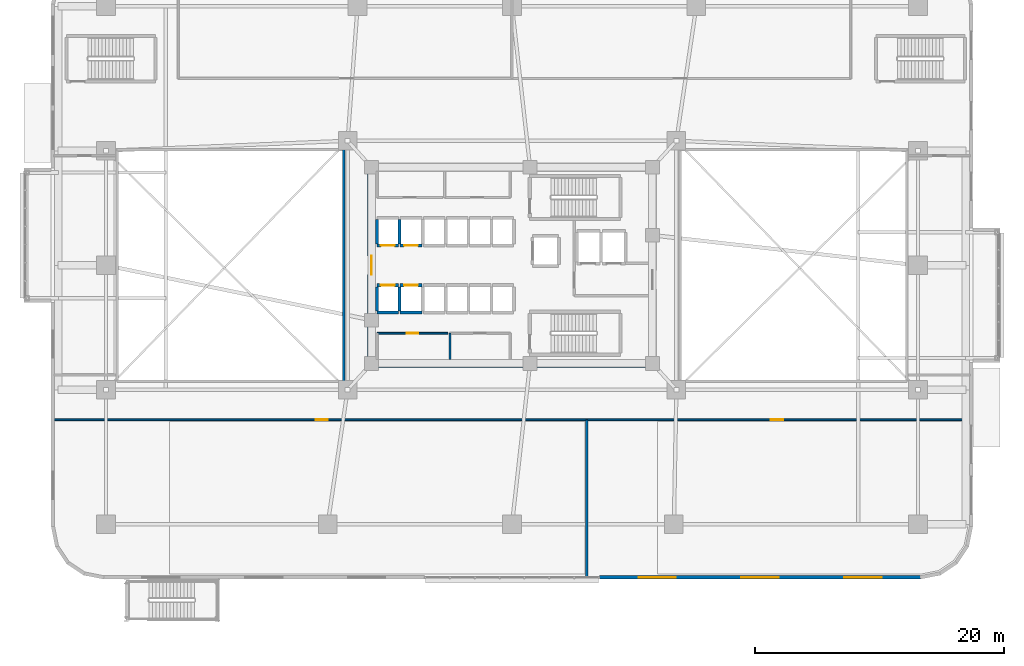
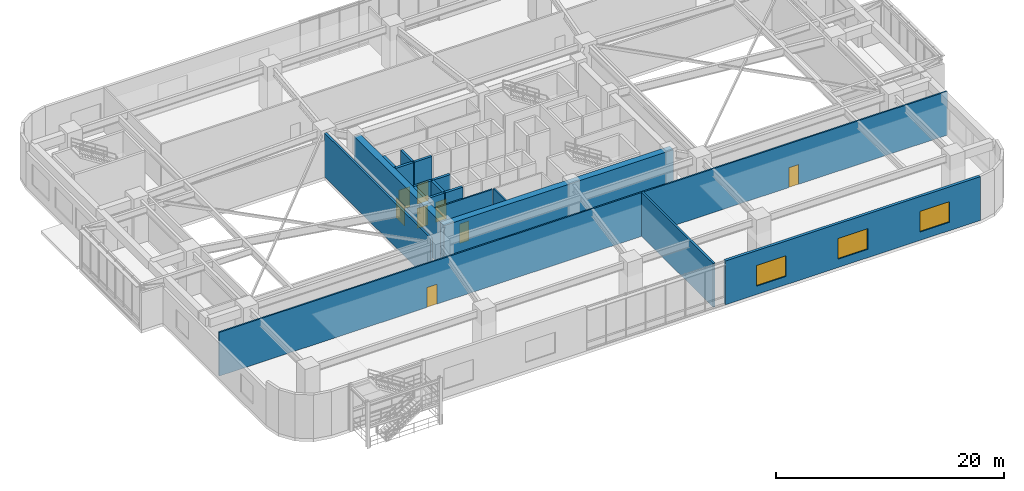
# One storey, part 18 of 26: 18 walls, 8 doors, 3 windows, 11 openings.
"""IFC4 building model written with IfcOpenShell, lengths in metres."""

import ifcopenshell
import ifcopenshell.guid

model = None  # the IFC model being written
_history = None  # IfcOwnerHistory: only IFC2X3 demands one
_inside = {}  # id of a spatial element -> (the spatial element, [elements in it])
_under = {}  # id of a project, library or spatial element -> (it, [spatial elements below it])
_declared = {}  # id of a project -> (the project, [libraries it declares])
_typed = {}  # id of a type object -> (the type object, [elements of that type])
_made_of = {}  # id of a material, layer set ... -> (it, [elements and type objects made of it])


def new_model(schema):
    """Start an empty IFC model of exactly this schema.

    Asked for "IFC4X3", IfcOpenShell would pick the latest addendum, in which some entities
    have other attributes; the version numbers below select the first issue.
    IFC2X3 requires an IfcOwnerHistory on every rooted entity: one is made here for all.
    """
    global model, _history
    if schema == "IFC4X3":
        model = ifcopenshell.file(schema_version=(4, 3, 0, 0))
    else:
        model = ifcopenshell.file(schema=schema)
    _inside.clear()
    _under.clear()
    _declared.clear()
    _typed.clear()
    _made_of.clear()
    _history = None
    if model.schema == "IFC2X3":
        org = make("IfcOrganization", Name="unknown")
        user = make(
            "IfcPersonAndOrganization",
            ThePerson=make("IfcPerson", FamilyName="unknown"),
            TheOrganization=org,
        )
        app = make(
            "IfcApplication",
            ApplicationDeveloper=org,
            Version="unknown",
            ApplicationFullName="unknown",
            ApplicationIdentifier="unknown",
        )
        _history = make(
            "IfcOwnerHistory",
            OwningUser=user,
            OwningApplication=app,
            ChangeAction="ADDED",
            CreationDate=0,
        )
    return model


def make(cls, **values):
    """One entity of the class cls with the attributes given. An attribute that is None is left unset."""
    return model.create_entity(
        cls, **{name: value for name, value in values.items() if value is not None}
    )


def rooted(cls, **values):
    """An entity with a GlobalId (a new one), such as an element, a storey or a relation."""
    return make(cls, GlobalId=ifcopenshell.guid.new(), OwnerHistory=_history, **values)


def si_unit(unit_type, name, prefix=None):
    """IfcSIUnit, for example si_unit("LENGTHUNIT", "METRE", prefix="MILLI")."""
    return make("IfcSIUnit", UnitType=unit_type, Prefix=prefix, Name=name)


def assignment(units):
    """IfcUnitAssignment: the units of a project."""
    return None if units is None else make("IfcUnitAssignment", Units=units)


def point(xyz):
    """IfcCartesianPoint."""
    return None if xyz is None else make("IfcCartesianPoint", Coordinates=xyz)


def direction(xyz):
    """IfcDirection."""
    return None if xyz is None else make("IfcDirection", DirectionRatios=xyz)


def frame(location, z_axis=None, x_axis=None):
    """IfcAxis2Placement3D, a coordinate frame: its origin and axes. An axis left out is left unset."""
    return make(
        "IfcAxis2Placement3D",
        Location=point(location),
        Axis=direction(z_axis),
        RefDirection=direction(x_axis),
    )


def frame_2d(location, x_axis=None):
    """IfcAxis2Placement2D, a coordinate frame in the plane: its origin and x axis."""
    return make(
        "IfcAxis2Placement2D", Location=point(location), RefDirection=direction(x_axis)
    )


def origin():
    """The frame at (0, 0, 0) with its axes left unset."""
    return frame((0.0, 0.0, 0.0))


def place(relative_to, where):
    """IfcLocalPlacement: puts the frame where relative to a parent placement (None: the world)."""
    return make(
        "IfcLocalPlacement", PlacementRelTo=relative_to, RelativePlacement=where
    )


def context(
    kind, dimensions, precision=None, world=None, true_north=None, identifier=None
):
    """IfcGeometricRepresentationContext, for example the 3D "Model" context."""
    return make(
        "IfcGeometricRepresentationContext",
        ContextIdentifier=identifier,
        ContextType=kind,
        CoordinateSpaceDimension=dimensions,
        Precision=precision,
        WorldCoordinateSystem=world,
        TrueNorth=true_north,
    )


def subcontext(parent, identifier, kind, view, scale=None):
    """IfcGeometricRepresentationSubContext, for example "Body" below "Model"."""
    return make(
        "IfcGeometricRepresentationSubContext",
        ContextIdentifier=identifier,
        ContextType=kind,
        ParentContext=parent,
        TargetScale=scale,
        TargetView=view,
    )


def project(units=None, contexts=None):
    """IfcProject with its units and contexts."""
    return rooted(
        "IfcProject",
        Name="project",
        RepresentationContexts=contexts,
        UnitsInContext=assignment(units),
    )


def spatial(cls, under=None, at=None, **own):
    """A site, building, storey or space (cls), placed at a placement, below another one or the project."""
    s = rooted(cls, ObjectPlacement=at, **own)
    if under is not None:
        _under.setdefault(under.id(), (under, []))[1].append(s)
    return s


def profile(cls, at=None, kind="AREA", **sizes):
    """A parametric profile (cls). Its sizes go by their IFC names, for example OverallWidth=200.0."""
    return make(cls, ProfileType=kind, Position=at, **sizes)


def rectangle(**sizes):
    """IfcRectangleProfileDef."""
    return profile("IfcRectangleProfileDef", **sizes)


def extrude(swept, where, along, depth):
    """IfcExtrudedAreaSolid: the profile swept, set in the frame where, extruded along a direction by depth."""
    return make(
        "IfcExtrudedAreaSolid",
        SweptArea=swept,
        Position=where,
        ExtrudedDirection=direction(along),
        Depth=depth,
    )


def shape(context_of_items, identifier, shape_type, items):
    """IfcShapeRepresentation: the items that make up one representation, for example the "Body"."""
    return make(
        "IfcShapeRepresentation",
        ContextOfItems=context_of_items,
        RepresentationIdentifier=identifier,
        RepresentationType=shape_type,
        Items=items,
    )


def material(Name=None, Category=None):
    """IfcMaterial."""
    return make("IfcMaterial", Name=Name, Category=Category)


def layer(
    of_material, thickness, ventilated=None, Name=None, Category=None, Priority=None
):
    """IfcMaterialLayer: one layer of a wall or slab, of a material (None: an air gap)."""
    return make(
        "IfcMaterialLayer",
        Material=of_material,
        LayerThickness=thickness,
        IsVentilated=ventilated,
        Name=Name,
        Category=Category,
        Priority=Priority,
    )


def layer_set(layers, Name=None):
    """IfcMaterialLayerSet."""
    return make("IfcMaterialLayerSet", MaterialLayers=layers, LayerSetName=Name)


def made_of(thing, what):
    """Note that an element or type object is made of a material, layer set ...; save() writes the relation."""
    if what is not None:
        _made_of.setdefault(what.id(), (what, []))[1].append(thing)
    return thing


def type_object(cls, material=None, **own):
    """A type object (cls), such as IfcWallType, which elements share."""
    return made_of(rooted(cls, **own), material)


def element(
    cls,
    number,
    at=None,
    inside=None,
    cuts=None,
    type_object=None,
    material=None,
    context=None,
    identifier="Body",
    shape_type=None,
    held_by="IfcProductDefinitionShape",
    body=None,
    shapes=None,
    **own,
):
    """One element of the class cls, such as IfcWall. Its Tag is "e" and its number.

    at: its placement. inside: the storey or other place that contains it. cuts: it is an
    opening in that element (IfcRelVoidsElement). A single representation is given by context,
    identifier, shape_type and body (its items); several are given by shapes. held_by: the class
    of the entity that holds the representations. save() writes the other relations.
    """
    e = rooted(cls, Tag="e%d" % number, ObjectPlacement=at, **own)
    if body is not None:
        shapes = [shape(context, identifier, shape_type, body)]
    if shapes is not None:
        e.Representation = make(held_by, Representations=shapes)
    if inside is not None:
        _inside.setdefault(inside.id(), (inside, []))[1].append(e)
    if cuts is not None:
        rooted(
            "IfcRelVoidsElement", RelatingBuildingElement=cuts, RelatedOpeningElement=e
        )
    if type_object is not None:
        _typed.setdefault(type_object.id(), (type_object, []))[1].append(e)
    return made_of(e, material)


def fill(opening, filler):
    """IfcRelFillsElement: the door or window that sits in an opening."""
    return rooted(
        "IfcRelFillsElement",
        RelatingOpeningElement=opening,
        RelatedBuildingElement=filler,
    )


def aggregate(whole, parts):
    """IfcRelAggregates: a whole, such as a stair, and the parts it consists of."""
    return rooted("IfcRelAggregates", RelatingObject=whole, RelatedObjects=parts)


def save(model, path):
    """Write the relations noted so far, then the file.

    IfcRelAggregates (storeys below a building ...), IfcRelContainedInSpatialStructure (elements
    in a storey), IfcRelDefinesByType, IfcRelAssociatesMaterial and IfcRelDeclares: one each for
    every whole, place, type object, material and project.
    """
    for whole, parts in _under.values():
        aggregate(whole, parts)
    for where, things in _inside.values():
        rooted(
            "IfcRelContainedInSpatialStructure",
            RelatedElements=things,
            RelatingStructure=where,
        )
    for kind, things in _typed.values():
        rooted("IfcRelDefinesByType", RelatedObjects=things, RelatingType=kind)
    for what, things in _made_of.values():
        rooted("IfcRelAssociatesMaterial", RelatedObjects=things, RelatingMaterial=what)
    for by, libraries in _declared.values():
        rooted("IfcRelDeclares", RelatingContext=by, RelatedDefinitions=libraries)
    model.write(path)


model = new_model("IFC4")

# Units and contexts
model_context = context("Model", 3, precision=1e-05, world=origin(), true_north=direction((0.0, 1.0)))
body_context = subcontext(model_context, "Body", "Model", "MODEL_VIEW")
ifc_project = project(units=[si_unit("LENGTHUNIT", "METRE"), si_unit("AREAUNIT", "SQUARE_METRE"), si_unit("VOLUMEUNIT", "CUBIC_METRE"), si_unit("PLANEANGLEUNIT", "RADIAN"), si_unit("MASSUNIT", "GRAM", prefix="KILO")], contexts=[model_context])

# Site, building, storey
site_placement = place(None, origin())
site = spatial("IfcSite", under=ifc_project, at=site_placement, CompositionType="ELEMENT")
building_placement = place(site_placement, origin())
building = spatial("IfcBuilding", under=site, at=building_placement, Name="Zulverin Broadcast Headquarters", CompositionType="ELEMENT")
storey_placement = place(building_placement, frame((0.0, 0.0, 15.0)))
storey = spatial("IfcBuildingStorey", under=building, at=storey_placement, Name="L03", CompositionType="ELEMENT", Elevation=15.0)

# Walls
ifc_material_1 = material(Name="Acoustic drywall steel stud", Category="steel")
ifc_layer_1 = layer(ifc_material_1, 0.199951171875, Name="Acoustic drywall steel stud", Category="steel")
ifc_layer_set_1 = layer_set([ifc_layer_1], Name="Acoustic drywall steel stud")
wall_type_1 = type_object("IfcWallType", Name="WL-ACOU-200", PredefinedType="PARTITIONING", material=ifc_layer_set_1)
wall_1_placement = place(storey_placement, frame((23.5, 15.89990234375, 0.0), z_axis=(0.0, 0.0, 1.0), x_axis=(0.0, 1.0, 0.0)))
element("IfcWall", 1, at=wall_1_placement, inside=storey, type_object=wall_type_1, Name="L03 WEST Studio Void E Wall", PredefinedType="PARTITIONING", context=body_context, shape_type="SweptSolid", body=[
    extrude(rectangle(XDim=18.60009765625, YDim=0.199951171875, at=frame_2d((9.300048828125, 0.0))), origin(), (0.0, 0.0, 1.0), 4.679931640625),
])
wall_2_placement = place(storey_placement, frame((43.0, 0.205078125, 0.0), z_axis=(0.0, 0.0, 1.0), x_axis=(0.0, 1.0, 0.0)))
element("IfcWall", 2, at=wall_2_placement, inside=storey, type_object=wall_type_1, Name="L03 Room Partition Wall RP-03", PredefinedType="PARTITIONING", context=body_context, shape_type="SweptSolid", body=[
    extrude(rectangle(XDim=12.594970703125, YDim=0.199951171875, at=frame_2d((6.29736328125, 0.0))), origin(), (0.0, 0.0, 1.0), 4.679931640625),
])
ifc_material_2 = material(Name="Concrete C60/75", Category="concrete")
ifc_layer_2 = layer(ifc_material_2, 0.64990234375, Name="Concrete C60/75", Category="concrete")
ifc_layer_set_2 = layer_set([ifc_layer_2], Name="Concrete C60/75")
wall_type_2 = type_object("IfcWallType", Name="WL-CORE-650", PredefinedType="SHEAR", material=ifc_layer_set_2)
wall_3_placement = place(storey_placement, frame((25.39990234375, 17.324951171875, 0.0), z_axis=(0.0, 0.0, 1.0), x_axis=(1.0, 0.0, 0.0)))
element("IfcWall", 3, at=wall_3_placement, inside=storey, type_object=wall_type_2, Name="L03 Core South Shear Wall", PredefinedType="SHEAR", context=body_context, shape_type="SweptSolid", body=[
    extrude(rectangle(XDim=23.2001953125, YDim=0.64990234375, at=frame_2d((11.60009765625, 0.0))), origin(), (0.0, 0.0, 1.0), 4.679931640625),
])

# Wall, opening, door
wall_4_placement = place(storey_placement, frame((25.72509765625, 17.64990234375, 0.0), z_axis=(0.0, 0.0, 1.0), x_axis=(0.0, 1.0, 0.0)))
wall_4 = element("IfcWall", 4, at=wall_4_placement, inside=storey, type_object=wall_type_2, Name="L03 Core West Shear Wall", PredefinedType="SHEAR", context=body_context, shape_type="SweptSolid", body=[
    extrude(rectangle(XDim=15.10009765625, YDim=0.64990234375, at=frame_2d((7.550048828125, 0.0))), origin(), (0.0, 0.0, 1.0), 4.679931640625),
])
opening_1_placement = place(wall_4_placement, frame((6.800048828125, 0.0, 0.0)))
opening_1 = element("IfcOpeningElement", 5, at=opening_1_placement, cuts=wall_4, Name="Opening D-L03-CW1", PredefinedType="OPENING", context=body_context, shape_type="SweptSolid", body=[
    extrude(rectangle(XDim=1.5, YDim=2.14990234375, at=frame_2d((0.75, 1.074951171875))), frame((0.0, 0.3349609375, 0.0), z_axis=(0.0, -1.0, 0.0), x_axis=(1.0, 0.0, 0.0)), (0.0, 0.0, 1.0), 0.669921875),
])
ifc_material_3 = material(Name="Fire-rated glazed steel frame", Category="steel")
door_type_1 = type_object("IfcDoorType", Name="DR-COR-1500", OperationType="DOUBLE_DOOR_SINGLE_SWING", PredefinedType="DOOR", material=ifc_material_3)
door_1_placement = place(opening_1_placement, origin())
door_1 = element("IfcDoor", 6, at=door_1_placement, inside=storey, type_object=door_type_1, Name="L03 Central Lift Lobby West Portal Door", OperationType="DOUBLE_DOOR_SINGLE_SWING", OverallHeight=2.14990234375, OverallWidth=1.5, PredefinedType="DOOR", context=body_context, shape_type="SweptSolid", body=[
    extrude(rectangle(XDim=1.5, YDim=2.14990234375, at=frame_2d((0.75, 1.074951171875))), frame((0.0, 0.02490234375, 0.0), z_axis=(0.0, -1.0, 0.0), x_axis=(1.0, 0.0, 0.0)), (0.0, 0.0, 1.0), 0.050048828125),
])
fill(opening_1, door_1)

# Wall, openings, windows
ifc_material_4 = material(Name="Insulated pale-metal clad concrete spandrel C40/50", Category="concrete")
ifc_layer_3 = layer(ifc_material_4, 0.280029296875, Name="Insulated pale-metal clad concrete spandrel C40/50", Category="concrete")
ifc_layer_set_3 = layer_set([ifc_layer_3], Name="Insulated pale-metal clad concrete spandrel C40/50")
wall_type_3 = type_object("IfcWallType", Name="WL-EXT-280", PredefinedType="STANDARD", material=ifc_layer_set_3)
wall_5_placement = place(storey_placement, frame((44.0380859375, 0.139892578125, 0.0), z_axis=(0.0, 0.0, 1.0), x_axis=(1.0, 0.0, 0.0)))
wall_5 = element("IfcWall", 7, at=wall_5_placement, inside=storey, type_object=wall_type_3, Name="L03 Podium Flank Wall 4-2", PredefinedType="STANDARD", context=body_context, shape_type="SweptSolid", body=[
    extrude(rectangle(XDim=25.761962890625, YDim=0.280029296875, at=frame_2d((12.880859375, 0.0))), origin(), (0.0, 0.0, 1.0), 4.679931640625),
])
opening_2_placement = place(wall_5_placement, frame((3.126953125, 0.0, 0.89990234375)))
opening_2 = element("IfcOpeningElement", 8, at=opening_2_placement, cuts=wall_5, Name="Opening W-L03-F421", PredefinedType="OPENING", context=body_context, shape_type="SweptSolid", body=[
    extrude(rectangle(XDim=3.0, YDim=2.199951171875, at=frame_2d((1.5, 1.10009765625))), frame((0.0, 0.14990234375, 0.0), z_axis=(0.0, -1.0, 0.0), x_axis=(1.0, 0.0, 0.0)), (0.0, 0.0, 1.0), 0.300048828125),
])
opening_3_placement = place(wall_5_placement, frame((11.381103515625, 0.0, 0.89990234375)))
opening_3 = element("IfcOpeningElement", 9, at=opening_3_placement, cuts=wall_5, Name="Opening W-L03-F422", PredefinedType="OPENING", context=body_context, shape_type="SweptSolid", body=[
    extrude(rectangle(XDim=3.0, YDim=2.199951171875, at=frame_2d((1.5, 1.10009765625))), frame((0.0, 0.14990234375, 0.0), z_axis=(0.0, -1.0, 0.0), x_axis=(1.0, 0.0, 0.0)), (0.0, 0.0, 1.0), 0.300048828125),
])
opening_4_placement = place(wall_5_placement, frame((19.635009765625, 0.0, 0.89990234375)))
opening_4 = element("IfcOpeningElement", 10, at=opening_4_placement, cuts=wall_5, Name="Opening W-L03-F423", PredefinedType="OPENING", context=body_context, shape_type="SweptSolid", body=[
    extrude(rectangle(XDim=3.0, YDim=2.199951171875, at=frame_2d((1.5, 1.10009765625))), frame((0.0, 0.14990234375, 0.0), z_axis=(0.0, -1.0, 0.0), x_axis=(1.0, 0.0, 0.0)), (0.0, 0.0, 1.0), 0.300048828125),
])
ifc_material_5 = material(Name="Pale anodized aluminium frame with solar-control low-E double glazing", Category="aluminium")
window_type = type_object("IfcWindowType", Name="WIN-POD-3000", PartitioningType="SINGLE_PANEL", PredefinedType="WINDOW", material=ifc_material_5)
window_1_placement = place(opening_2_placement, origin())
window_1 = element("IfcWindow", 11, at=window_1_placement, inside=storey, type_object=window_type, Name="L03 Podium Flank Window 4-2 1", OverallHeight=2.199951171875, OverallWidth=3.0, PartitioningType="SINGLE_PANEL", PredefinedType="WINDOW", context=body_context, shape_type="SweptSolid", body=[
    extrude(rectangle(XDim=3.0, YDim=2.199951171875, at=frame_2d((1.5, 1.10009765625))), frame((0.0, 0.030029296875, 0.0), z_axis=(0.0, -1.0, 0.0), x_axis=(1.0, 0.0, 0.0)), (0.0, 0.0, 1.0), 0.06005859375),
])
fill(opening_2, window_1)
window_2_placement = place(opening_3_placement, origin())
window_2 = element("IfcWindow", 12, at=window_2_placement, inside=storey, type_object=window_type, Name="L03 Podium Flank Window 4-2 2", OverallHeight=2.199951171875, OverallWidth=3.0, PartitioningType="SINGLE_PANEL", PredefinedType="WINDOW", context=body_context, shape_type="SweptSolid", body=[
    extrude(rectangle(XDim=3.0, YDim=2.199951171875, at=frame_2d((1.5, 1.10009765625))), frame((0.0, 0.030029296875, 0.0), z_axis=(0.0, -1.0, 0.0), x_axis=(1.0, 0.0, 0.0)), (0.0, 0.0, 1.0), 0.06005859375),
])
fill(opening_3, window_2)
window_3_placement = place(opening_4_placement, origin())
window_3 = element("IfcWindow", 13, at=window_3_placement, inside=storey, type_object=window_type, Name="L03 Podium Flank Window 4-2 3", OverallHeight=2.199951171875, OverallWidth=3.0, PartitioningType="SINGLE_PANEL", PredefinedType="WINDOW", context=body_context, shape_type="SweptSolid", body=[
    extrude(rectangle(XDim=3.0, YDim=2.199951171875, at=frame_2d((1.5, 1.10009765625))), frame((0.0, 0.030029296875, 0.0), z_axis=(0.0, -1.0, 0.0), x_axis=(1.0, 0.0, 0.0)), (0.0, 0.0, 1.0), 0.06005859375),
])
fill(opening_4, window_3)

# Wall, opening, door
ifc_material_6 = material(Name="Fire-rated gypsum stud partition", Category="gypsum")
ifc_layer_4 = layer(ifc_material_6, 0.14990234375, Name="Fire-rated gypsum stud partition", Category="gypsum")
ifc_layer_set_4 = layer_set([ifc_layer_4], Name="Fire-rated gypsum stud partition")
wall_type_4 = type_object("IfcWallType", Name="WL-PART-150", PredefinedType="PARTITIONING", material=ifc_layer_set_4)
wall_6_placement = place(storey_placement, frame((26.169921875, 19.75, 0.0), z_axis=(0.0, 0.0, 1.0), x_axis=(1.0, 0.0, 0.0)))
wall_6 = element("IfcWall", 14, at=wall_6_placement, inside=storey, type_object=wall_type_4, Name="L03 Core Female WC Front Wall", PredefinedType="PARTITIONING", context=body_context, shape_type="SweptSolid", body=[
    extrude(rectangle(XDim=5.690185546875, YDim=0.14990234375, at=frame_2d((2.84521484375, 0.0))), origin(), (0.0, 0.0, 1.0), 4.679931640625),
])
opening_5_placement = place(wall_6_placement, frame((2.3701171875, 0.0, 0.0)))
opening_5 = element("IfcOpeningElement", 15, at=opening_5_placement, cuts=wall_6, Name="Opening D-L03-SC1", PredefinedType="OPENING", context=body_context, shape_type="SweptSolid", body=[
    extrude(rectangle(XDim=0.949951171875, YDim=2.10009765625, at=frame_2d((0.47509765625, 1.050048828125))), frame((0.0, 0.0849609375, 0.0), z_axis=(0.0, -1.0, 0.0), x_axis=(1.0, 0.0, 0.0)), (0.0, 0.0, 1.0), 0.169921875),
])
ifc_material_7 = material(Name="Fire-rated moisture-resistant laminate leaf", Category="wood")
door_type_2 = type_object("IfcDoorType", Name="DR-WC-950", OperationType="SINGLE_SWING_LEFT", PredefinedType="DOOR", material=ifc_material_7)
door_2_placement = place(opening_5_placement, origin())
door_2 = element("IfcDoor", 16, at=door_2_placement, inside=storey, type_object=door_type_2, Name="L03 Female WC Door", OperationType="SINGLE_SWING_LEFT", OverallHeight=2.10009765625, OverallWidth=0.949951171875, PredefinedType="DOOR", context=body_context, shape_type="SweptSolid", body=[
    extrude(rectangle(XDim=0.949951171875, YDim=2.10009765625, at=frame_2d((0.47509765625, 1.050048828125))), frame((0.0, 0.02490234375, 0.0), z_axis=(0.0, -1.0, 0.0), x_axis=(1.0, 0.0, 0.0)), (0.0, 0.0, 1.0), 0.050048828125),
])
fill(opening_5, door_2)

# Wall
wall_7_placement = place(storey_placement, frame((32.02001953125, 17.64990234375, 0.0), z_axis=(0.0, 0.0, 1.0), x_axis=(0.0, 1.0, 0.0)))
element("IfcWall", 17, at=wall_7_placement, inside=storey, type_object=wall_type_4, Name="L03 Core Cleaner Store & Telecoms Riser West Wall", PredefinedType="PARTITIONING", context=body_context, shape_type="SweptSolid", body=[
    extrude(rectangle(XDim=2.10009765625, YDim=0.14990234375, at=frame_2d((1.050048828125, 0.0))), origin(), (0.0, 0.0, 1.0), 4.679931640625),
])

# Wall, openings, doors
wall_8_placement = place(storey_placement, frame((0.205078125, 12.800048828125, 0.0), z_axis=(0.0, 0.0, 1.0), x_axis=(1.0, 0.0, 0.0)))
wall_8 = element("IfcWall", 18, at=wall_8_placement, inside=storey, type_object=wall_type_4, Name="L03 Gallery Partition Wall CG-07", PredefinedType="PARTITIONING", context=body_context, shape_type="SweptSolid", body=[
    extrude(rectangle(XDim=73.58984375, YDim=0.14990234375, at=frame_2d((36.794921875, 0.0))), origin(), (0.0, 0.0, 1.0), 4.679931640625),
])
opening_6_placement = place(wall_8_placement, frame((21.017578125, 0.0, 0.0)))
opening_6 = element("IfcOpeningElement", 19, at=opening_6_placement, cuts=wall_8, Name="Opening D-L03-SOUTH1", PredefinedType="OPENING", context=body_context, shape_type="SweptSolid", body=[
    extrude(rectangle(XDim=1.0, YDim=2.1201171875, at=frame_2d((0.5, 1.06005859375))), frame((0.0, 0.0849609375, 0.0), z_axis=(0.0, -1.0, 0.0), x_axis=(1.0, 0.0, 0.0)), (0.0, 0.0, 1.0), 0.169921875),
])
opening_7_placement = place(wall_8_placement, frame((57.572509765625, 0.0, 0.0)))
opening_7 = element("IfcOpeningElement", 20, at=opening_7_placement, cuts=wall_8, Name="Opening D-L03-SOUTH2", PredefinedType="OPENING", context=body_context, shape_type="SweptSolid", body=[
    extrude(rectangle(XDim=1.0, YDim=2.1201171875, at=frame_2d((0.5, 1.06005859375))), frame((0.0, 0.0849609375, 0.0), z_axis=(0.0, -1.0, 0.0), x_axis=(1.0, 0.0, 0.0)), (0.0, 0.0, 1.0), 0.169921875),
])
ifc_material_8 = material(Name="Hardwood veneer acoustic leaf", Category="wood")
door_type_3 = type_object("IfcDoorType", Name="DR-OFF-1000", OperationType="SINGLE_SWING_LEFT", PredefinedType="DOOR", material=ifc_material_8)
door_3_placement = place(opening_6_placement, origin())
door_3 = element("IfcDoor", 21, at=door_3_placement, inside=storey, type_object=door_type_3, Name="L03 Post-Production Editing Suite Door", OperationType="SINGLE_SWING_LEFT", OverallHeight=2.1201171875, OverallWidth=1.0, PredefinedType="DOOR", context=body_context, shape_type="SweptSolid", body=[
    extrude(rectangle(XDim=1.0, YDim=2.1201171875, at=frame_2d((0.5, 1.06005859375))), frame((0.0, 0.02490234375, 0.0), z_axis=(0.0, -1.0, 0.0), x_axis=(1.0, 0.0, 0.0)), (0.0, 0.0, 1.0), 0.050048828125),
])
fill(opening_6, door_3)
door_4_placement = place(opening_7_placement, origin())
door_4 = element("IfcDoor", 22, at=door_4_placement, inside=storey, type_object=door_type_3, Name="L03 Master Control & Sound Mixing Room Door", OperationType="SINGLE_SWING_RIGHT", OverallHeight=2.1201171875, OverallWidth=1.0, PredefinedType="DOOR", context=body_context, shape_type="SweptSolid", body=[
    extrude(rectangle(XDim=1.0, YDim=2.1201171875, at=frame_2d((0.5, 1.06005859375))), frame((0.0, 0.02490234375, 0.0), z_axis=(0.0, -1.0, 0.0), x_axis=(1.0, 0.0, 0.0)), (0.0, 0.0, 1.0), 0.050048828125),
])
fill(opening_7, door_4)

# Wall, opening, door
ifc_material_9 = material(Name="Concrete C50/60", Category="concrete")
ifc_layer_5 = layer(ifc_material_9, 0.25, Name="Concrete C50/60", Category="concrete")
ifc_layer_set_5 = layer_set([ifc_layer_5], Name="Concrete C50/60")
wall_type_5 = type_object("IfcWallType", Name="WL-SHAFT-250", PredefinedType="SHEAR", material=ifc_layer_set_5)
wall_9_placement = place(storey_placement, frame((26.14990234375, 26.800048828125, 0.0), z_axis=(0.0, 0.0, 1.0), x_axis=(1.0, 0.0, 0.0)))
wall_9 = element("IfcWall", 23, at=wall_9_placement, inside=storey, type_object=wall_type_5, Name="L03 Lift PL-L1 Shaft Wall S", PredefinedType="SHEAR", context=body_context, shape_type="SweptSolid", body=[
    extrude(rectangle(XDim=1.75, YDim=0.25, at=frame_2d((0.875, 0.0))), origin(), (0.0, 0.0, 1.0), 4.679931640625),
])
opening_8_placement = place(wall_9_placement, frame((0.324951171875, 0.0, 0.0)))
opening_8 = element("IfcOpeningElement", 24, at=opening_8_placement, cuts=wall_9, Name="Opening LD-PL-L1-L03", PredefinedType="OPENING", context=body_context, shape_type="SweptSolid", body=[
    extrude(rectangle(XDim=1.10009765625, YDim=2.14990234375, at=frame_2d((0.550048828125, 1.074951171875))), frame((0.0, 0.135009765625, 0.0), z_axis=(0.0, -1.0, 0.0), x_axis=(1.0, 0.0, 0.0)), (0.0, 0.0, 1.0), 0.27001953125),
])
ifc_material_10 = material(Name="Brushed stainless steel landing", Category="steel")
door_type_4 = type_object("IfcDoorType", Name="LD-PASS-1100", OperationType="DOUBLE_DOOR_SLIDING", PredefinedType="DOOR", material=ifc_material_10)
door_5_placement = place(opening_8_placement, origin())
door_5 = element("IfcDoor", 25, at=door_5_placement, inside=storey, type_object=door_type_4, Name="L03 Lift PL-L1 Sliding Landing Door", OperationType="DOUBLE_DOOR_SLIDING", OverallHeight=2.14990234375, OverallWidth=1.10009765625, PredefinedType="DOOR", context=body_context, shape_type="SweptSolid", body=[
    extrude(rectangle(XDim=1.10009765625, YDim=2.14990234375, at=frame_2d((0.550048828125, 1.074951171875))), frame((0.0, 0.02490234375, 0.0), z_axis=(0.0, -1.0, 0.0), x_axis=(1.0, 0.0, 0.0)), (0.0, 0.0, 1.0), 0.050048828125),
])
fill(opening_8, door_5)

# Walls
for number, where, z_axis, x_axis, name in (
    (26, (26.14990234375, 26.919921875, 0.0), (0.0, 0.0, 1.0), (0.0, 1.0, 0.0), "L03 Lift PL-L1 Shaft Wall W"),
    (27, (27.9599609375, 26.919921875, 0.0), (0.0, 0.0, 1.0), (0.0, 1.0, 0.0), "L03 Lift PL-L1 Shaft Wall E"),
):
    element("IfcWall", number, at=place(storey_placement, frame(where, z_axis=z_axis, x_axis=x_axis)), inside=storey, type_object=wall_type_5, Name=name, PredefinedType="SHEAR", context=body_context, shape_type="SweptSolid", body=[
        extrude(rectangle(XDim=1.9599609375, YDim=0.25, at=frame_2d((0.97998046875, 0.0))), origin(), (0.0, 0.0, 1.0), 4.679931640625),
    ])

# Wall, opening, door
wall_10_placement = place(storey_placement, frame((28.02001953125, 26.800048828125, 0.0), z_axis=(0.0, 0.0, 1.0), x_axis=(1.0, 0.0, 0.0)))
wall_10 = element("IfcWall", 28, at=wall_10_placement, inside=storey, type_object=wall_type_5, Name="L03 Lift PL-L2 Shaft Wall S", PredefinedType="SHEAR", context=body_context, shape_type="SweptSolid", body=[
    extrude(rectangle(XDim=1.75, YDim=0.25, at=frame_2d((0.875, 0.0))), origin(), (0.0, 0.0, 1.0), 4.679931640625),
])
opening_9_placement = place(wall_10_placement, frame((0.324951171875, 0.0, 0.0)))
opening_9 = element("IfcOpeningElement", 29, at=opening_9_placement, cuts=wall_10, Name="Opening LD-PL-L2-L03", PredefinedType="OPENING", context=body_context, shape_type="SweptSolid", body=[
    extrude(rectangle(XDim=1.10009765625, YDim=2.14990234375, at=frame_2d((0.550048828125, 1.074951171875))), frame((0.0, 0.135009765625, 0.0), z_axis=(0.0, -1.0, 0.0), x_axis=(1.0, 0.0, 0.0)), (0.0, 0.0, 1.0), 0.27001953125),
])
door_6_placement = place(opening_9_placement, origin())
door_6 = element("IfcDoor", 30, at=door_6_placement, inside=storey, type_object=door_type_4, Name="L03 Lift PL-L2 Sliding Landing Door", OperationType="DOUBLE_DOOR_SLIDING", OverallHeight=2.14990234375, OverallWidth=1.10009765625, PredefinedType="DOOR", context=body_context, shape_type="SweptSolid", body=[
    extrude(rectangle(XDim=1.10009765625, YDim=2.14990234375, at=frame_2d((0.550048828125, 1.074951171875))), frame((0.0, 0.02490234375, 0.0), z_axis=(0.0, -1.0, 0.0), x_axis=(1.0, 0.0, 0.0)), (0.0, 0.0, 1.0), 0.050048828125),
])
fill(opening_9, door_6)

# Wall
wall_11_placement = place(storey_placement, frame((26.14990234375, 21.39990234375, 0.0), z_axis=(0.0, 0.0, 1.0), x_axis=(1.0, 0.0, 0.0)))
element("IfcWall", 31, at=wall_11_placement, inside=storey, type_object=wall_type_5, Name="L03 Lift PL-L3 Shaft Wall S", PredefinedType="SHEAR", context=body_context, shape_type="SweptSolid", body=[
    extrude(rectangle(XDim=1.75, YDim=0.25, at=frame_2d((0.875, 0.0))), origin(), (0.0, 0.0, 1.0), 4.679931640625),
])

# Wall, opening, door
wall_12_placement = place(storey_placement, frame((26.14990234375, 23.60009765625, 0.0), z_axis=(0.0, 0.0, 1.0), x_axis=(1.0, 0.0, 0.0)))
wall_12 = element("IfcWall", 32, at=wall_12_placement, inside=storey, type_object=wall_type_5, Name="L03 Lift PL-L3 Shaft Wall N", PredefinedType="SHEAR", context=body_context, shape_type="SweptSolid", body=[
    extrude(rectangle(XDim=1.75, YDim=0.25, at=frame_2d((0.875, 0.0))), origin(), (0.0, 0.0, 1.0), 4.679931640625),
])
opening_10_placement = place(wall_12_placement, frame((0.324951171875, 0.0, 0.0)))
opening_10 = element("IfcOpeningElement", 33, at=opening_10_placement, cuts=wall_12, Name="Opening LD-PL-L3-L03", PredefinedType="OPENING", context=body_context, shape_type="SweptSolid", body=[
    extrude(rectangle(XDim=1.10009765625, YDim=2.14990234375, at=frame_2d((0.550048828125, 1.074951171875))), frame((0.0, 0.135009765625, 0.0), z_axis=(0.0, -1.0, 0.0), x_axis=(1.0, 0.0, 0.0)), (0.0, 0.0, 1.0), 0.27001953125),
])
door_7_placement = place(opening_10_placement, origin())
door_7 = element("IfcDoor", 34, at=door_7_placement, inside=storey, type_object=door_type_4, Name="L03 Lift PL-L3 Sliding Landing Door", OperationType="DOUBLE_DOOR_SLIDING", OverallHeight=2.14990234375, OverallWidth=1.10009765625, PredefinedType="DOOR", context=body_context, shape_type="SweptSolid", body=[
    extrude(rectangle(XDim=1.10009765625, YDim=2.14990234375, at=frame_2d((0.550048828125, 1.074951171875))), frame((0.0, 0.02490234375, 0.0), z_axis=(0.0, -1.0, 0.0), x_axis=(1.0, 0.0, 0.0)), (0.0, 0.0, 1.0), 0.050048828125),
])
fill(opening_10, door_7)

# Walls
for number, where, z_axis, x_axis, name in (
    (35, (26.14990234375, 21.52001953125, 0.0), (0.0, 0.0, 1.0), (0.0, 1.0, 0.0), "L03 Lift PL-L3 Shaft Wall W"),
    (36, (27.9599609375, 21.52001953125, 0.0), (0.0, 0.0, 1.0), (0.0, 1.0, 0.0), "L03 Lift PL-L3 Shaft Wall E"),
):
    element("IfcWall", number, at=place(storey_placement, frame(where, z_axis=z_axis, x_axis=x_axis)), inside=storey, type_object=wall_type_5, Name=name, PredefinedType="SHEAR", context=body_context, shape_type="SweptSolid", body=[
        extrude(rectangle(XDim=1.9599609375, YDim=0.25, at=frame_2d((0.97998046875, 0.0))), origin(), (0.0, 0.0, 1.0), 4.679931640625),
    ])
wall_13_placement = place(storey_placement, frame((28.02001953125, 21.39990234375, 0.0), z_axis=(0.0, 0.0, 1.0), x_axis=(1.0, 0.0, 0.0)))
element("IfcWall", 37, at=wall_13_placement, inside=storey, type_object=wall_type_5, Name="L03 Lift PL-L4 Shaft Wall S", PredefinedType="SHEAR", context=body_context, shape_type="SweptSolid", body=[
    extrude(rectangle(XDim=1.75, YDim=0.25, at=frame_2d((0.875, 0.0))), origin(), (0.0, 0.0, 1.0), 4.679931640625),
])

# Wall, opening, door
wall_14_placement = place(storey_placement, frame((28.02001953125, 23.60009765625, 0.0), z_axis=(0.0, 0.0, 1.0), x_axis=(1.0, 0.0, 0.0)))
wall_14 = element("IfcWall", 38, at=wall_14_placement, inside=storey, type_object=wall_type_5, Name="L03 Lift PL-L4 Shaft Wall N", PredefinedType="SHEAR", context=body_context, shape_type="SweptSolid", body=[
    extrude(rectangle(XDim=1.75, YDim=0.25, at=frame_2d((0.875, 0.0))), origin(), (0.0, 0.0, 1.0), 4.679931640625),
])
opening_11_placement = place(wall_14_placement, frame((0.324951171875, 0.0, 0.0)))
opening_11 = element("IfcOpeningElement", 39, at=opening_11_placement, cuts=wall_14, Name="Opening LD-PL-L4-L03", PredefinedType="OPENING", context=body_context, shape_type="SweptSolid", body=[
    extrude(rectangle(XDim=1.10009765625, YDim=2.14990234375, at=frame_2d((0.550048828125, 1.074951171875))), frame((0.0, 0.135009765625, 0.0), z_axis=(0.0, -1.0, 0.0), x_axis=(1.0, 0.0, 0.0)), (0.0, 0.0, 1.0), 0.27001953125),
])
door_8_placement = place(opening_11_placement, origin())
door_8 = element("IfcDoor", 40, at=door_8_placement, inside=storey, type_object=door_type_4, Name="L03 Lift PL-L4 Sliding Landing Door", OperationType="DOUBLE_DOOR_SLIDING", OverallHeight=2.14990234375, OverallWidth=1.10009765625, PredefinedType="DOOR", context=body_context, shape_type="SweptSolid", body=[
    extrude(rectangle(XDim=1.10009765625, YDim=2.14990234375, at=frame_2d((0.550048828125, 1.074951171875))), frame((0.0, 0.02490234375, 0.0), z_axis=(0.0, -1.0, 0.0), x_axis=(1.0, 0.0, 0.0)), (0.0, 0.0, 1.0), 0.050048828125),
])
fill(opening_11, door_8)

save(model, "model.ifc")
